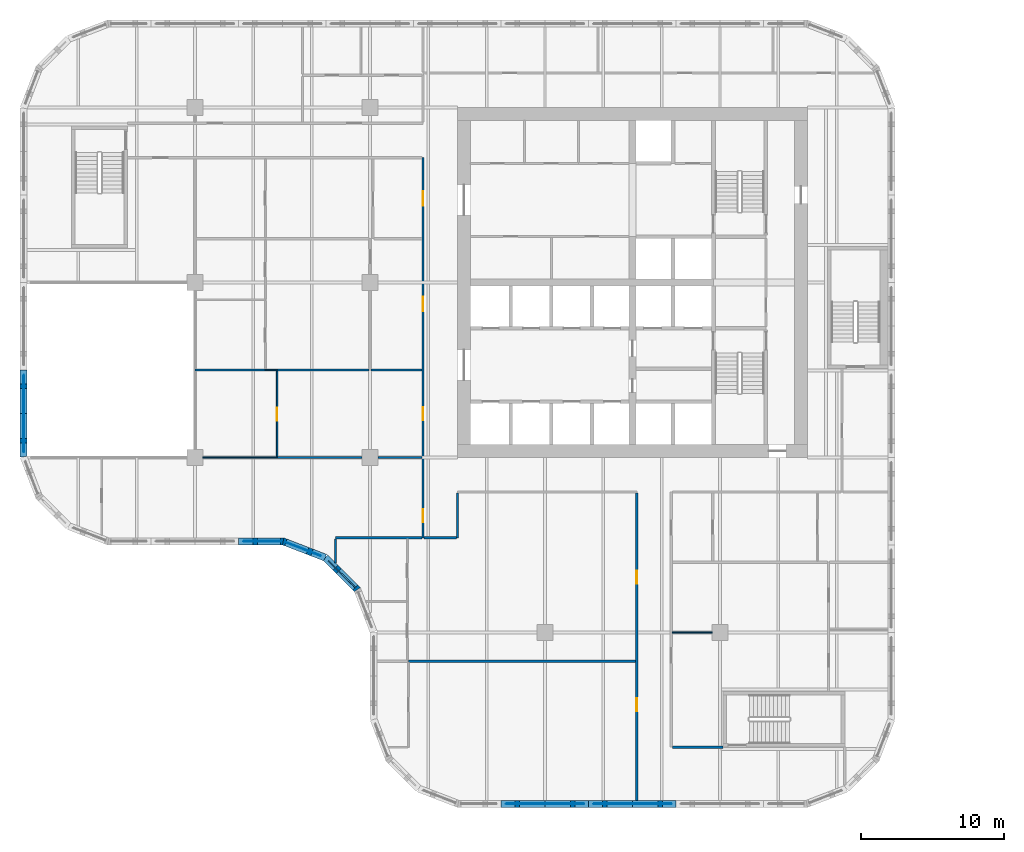
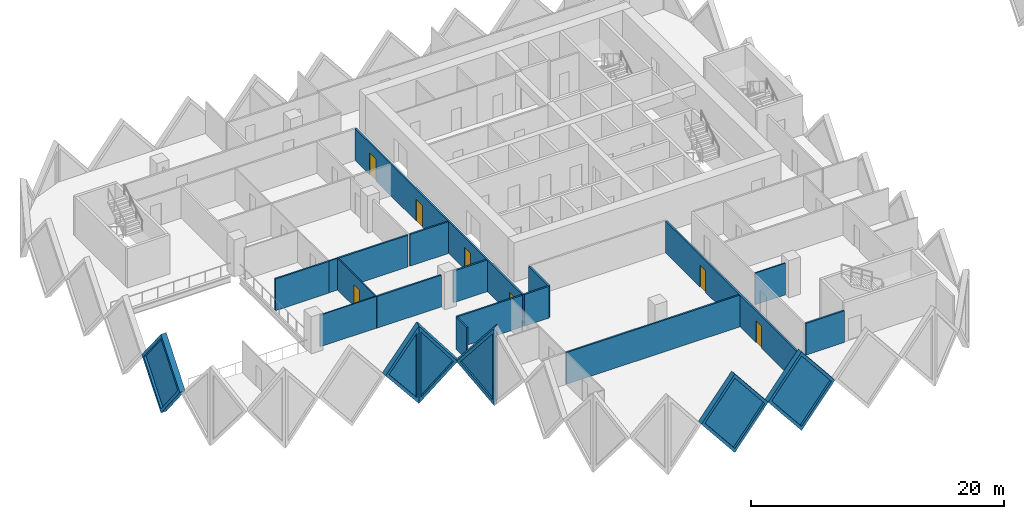
# One storey, part 5 of 19: 23 walls, 7 doors, 6 plates, 13 openings.
"""IFC4 building model written with IfcOpenShell, lengths in metres."""

from ifc_helpers import new_model, si_unit, direction, frame, frame_2d, origin, place, context, subcontext, project, spatial, polyline, rectangle, outline, extrude, faceted_brep, source, transform, mapped, material, layer, layer_set, type_object, element, fill, save


model = new_model("IFC4")

# Units and contexts
model_context = context("Model", 3, precision=1e-05, world=origin(), true_north=direction((0.0, 1.0)))
body_context = subcontext(model_context, "Body", "Model", "MODEL_VIEW")
ifc_project = project(units=[si_unit("LENGTHUNIT", "METRE"), si_unit("AREAUNIT", "SQUARE_METRE"), si_unit("VOLUMEUNIT", "CUBIC_METRE"), si_unit("PLANEANGLEUNIT", "RADIAN"), si_unit("MASSUNIT", "GRAM", prefix="KILO")], contexts=[model_context])

# Site, building, storey
site_placement = place(None, origin())
site = spatial("IfcSite", under=ifc_project, at=site_placement, CompositionType="ELEMENT")
building_placement = place(site_placement, origin())
building = spatial("IfcBuilding", under=site, at=building_placement, Name="Tessera Gate Towers", CompositionType="ELEMENT")
storey_placement = place(building_placement, frame((0.0, 0.0, 33.39990234375)))
storey = spatial("IfcBuildingStorey", under=building, at=storey_placement, Name="L07", CompositionType="ELEMENT", Elevation=33.39990234375)

# Wall, openings, doors
ifc_material_1 = material(Name="Gypsum board on steel studs, mineral wool", Category="steel")
ifc_layer_1 = layer(ifc_material_1, 0.14990234375)
ifc_layer_set_1 = layer_set([ifc_layer_1], Name="CORRIDOR WALL 150")
wall_type_1 = type_object("IfcWallType", Name="CORRIDOR WALL 150", PredefinedType="PARTITIONING", material=ifc_layer_set_1)
wall_1_placement = place(storey_placement, frame((43.0, 0.5, 0.0), z_axis=(0.0, 0.0, 1.0), x_axis=(0.0, 1.0, 0.0)))
wall_1 = element("IfcWall", 1, at=wall_1_placement, inside=storey, type_object=wall_type_1, Name="T1-L07-PW-001", PredefinedType="PARTITIONING", context=body_context, shape_type="SweptSolid", body=[
    extrude(rectangle(XDim=21.424072265625, YDim=0.14990234375, at=frame_2d((10.7119140625, 0.0))), origin(), (0.0, 0.0, 1.0), 3.067138671875),
])
shared_shape_1 = source(origin(), body_context, "Body", "SweptSolid", [
    extrude(rectangle(XDim=0.89990234375, YDim=2.10009765625, at=frame_2d((0.449951171875, 1.050048828125))), frame((0.0, 0.0849609375, 0.0), z_axis=(0.0, -1.0, 0.0), x_axis=(1.0, 0.0, 0.0)), (0.0, 0.0, 1.0), 0.169921875),
])
opening_1_placement = place(wall_1_placement, frame((6.199951171875, 0.0, 0.0)))
opening_1 = element("IfcOpeningElement", 2, at=opening_1_placement, cuts=wall_1, Name="Opening D890FD60-A02-02", PredefinedType="OPENING", context=body_context, shape_type="MappedRepresentation", body=[
    mapped(shared_shape_1, transform((0.0, 0.0, 0.0), scale=1.0)),
])
opening_2_placement = place(wall_1_placement, frame((15.10009765625, 0.0, 0.0)))
opening_2 = element("IfcOpeningElement", 3, at=opening_2_placement, cuts=wall_1, Name="Opening D890FD60-A02-06", PredefinedType="OPENING", context=body_context, shape_type="MappedRepresentation", body=[
    mapped(shared_shape_1, transform((0.0, 0.0, 0.0), scale=1.0)),
])
ifc_material_2 = material(Name="Timber door leaf in steel frame", Category="steel")
door_type_1 = type_object("IfcDoorType", Name="CORRIDOR DOOR 900 FD60", OperationType="NOTDEFINED", PredefinedType="DOOR", material=ifc_material_2)
shared_shape_2 = source(origin(), body_context, "Body", "SweptSolid", [
    extrude(rectangle(XDim=0.89990234375, YDim=2.10009765625, at=frame_2d((0.449951171875, 1.050048828125))), frame((0.0, 0.02490234375, 0.0), z_axis=(0.0, -1.0, 0.0), x_axis=(1.0, 0.0, 0.0)), (0.0, 0.0, 1.0), 0.050048828125),
])
door_1_placement = place(opening_1_placement, origin())
door_1 = element("IfcDoor", 4, at=door_1_placement, inside=storey, type_object=door_type_1, Name="T1-L07-PD-019", OperationType="SINGLE_SWING_LEFT", OverallHeight=2.10009765625, OverallWidth=0.89990234375, PredefinedType="DOOR", context=body_context, shape_type="MappedRepresentation", body=[
    mapped(shared_shape_2, transform((0.0, 0.0, 0.0), scale=1.0)),
])
fill(opening_1, door_1)
door_2_placement = place(opening_2_placement, origin())
door_2 = element("IfcDoor", 5, at=door_2_placement, inside=storey, type_object=door_type_1, Name="T1-L07-PD-027", OperationType="SINGLE_SWING_LEFT", OverallHeight=2.10009765625, OverallWidth=0.89990234375, PredefinedType="DOOR", context=body_context, shape_type="MappedRepresentation", body=[
    mapped(shared_shape_2, transform((0.0, 0.0, 0.0), scale=1.0)),
])
fill(opening_2, door_2)

# Wall
wall_2_placement = place(storey_placement, frame((45.47607421875, 4.199951171875, 0.0), z_axis=(0.0, 0.0, 1.0), x_axis=(1.0, 0.0, 0.0)))
element("IfcWall", 6, at=wall_2_placement, inside=storey, type_object=wall_type_1, Name="T1-L07-PW-006", PredefinedType="PARTITIONING", context=body_context, shape_type="SweptSolid", body=[
    extrude(rectangle(XDim=3.52392578125, YDim=0.14990234375, at=frame_2d((1.761962890625, 0.0))), origin(), (0.0, 0.0, 1.0), 3.067138671875),
])

# Wall, openings, doors
wall_3_placement = place(storey_placement, frame((28.10009765625, 18.800048828125, 0.0), z_axis=(0.0, 0.0, 1.0), x_axis=(0.0, 1.0, 0.0)))
wall_3 = element("IfcWall", 7, at=wall_3_placement, inside=storey, type_object=wall_type_1, Name="T1-L07-PW-020", PredefinedType="PARTITIONING", context=body_context, shape_type="SweptSolid", body=[
    extrude(rectangle(XDim=26.5, YDim=0.14990234375, at=frame_2d((13.25, 0.0))), origin(), (0.0, 0.0, 1.0), 3.067138671875),
])
opening_3_placement = place(wall_3_placement, frame((1.10009765625, 0.0, 0.0)))
opening_3 = element("IfcOpeningElement", 8, at=opening_3_placement, cuts=wall_3, Name="Opening D890FD60-A02-01", PredefinedType="OPENING", context=body_context, shape_type="MappedRepresentation", body=[
    mapped(shared_shape_1, transform((0.0, 0.0, 0.0), scale=1.0)),
])
shared_shape_3 = source(origin(), body_context, "Body", "SweptSolid", [
    extrude(rectangle(XDim=1.0, YDim=2.10009765625, at=frame_2d((0.5, 1.050048828125))), frame((0.0, 0.0849609375, 0.0), z_axis=(0.0, -1.0, 0.0), x_axis=(1.0, 0.0, 0.0)), (0.0, 0.0, 1.0), 0.169921875),
])
opening_4_placement = place(wall_3_placement, frame((23.15087890625, 0.0, 0.0)))
opening_4 = element("IfcOpeningElement", 9, at=opening_4_placement, cuts=wall_3, Name="Opening D2100FD60-A02-03", PredefinedType="OPENING", context=body_context, shape_type="MappedRepresentation", body=[
    mapped(shared_shape_3, transform((0.0, 0.0, 0.0), scale=1.0)),
])
opening_5_placement = place(wall_3_placement, frame((8.199951171875, 0.0, 0.0)))
opening_5 = element("IfcOpeningElement", 10, at=opening_5_placement, cuts=wall_3, Name="Opening D890FD60-A02-03", PredefinedType="OPENING", context=body_context, shape_type="MappedRepresentation", body=[
    mapped(shared_shape_1, transform((0.0, 0.0, 0.0), scale=1.0)),
])
opening_6_placement = place(wall_3_placement, frame((15.800048828125, 0.0, 0.0)))
opening_6 = element("IfcOpeningElement", 11, at=opening_6_placement, cuts=wall_3, Name="Opening D2100FD60-A02-05", PredefinedType="OPENING", context=body_context, shape_type="MappedRepresentation", body=[
    mapped(shared_shape_3, transform((0.0, 0.0, 0.0), scale=1.0)),
])
door_3_placement = place(opening_3_placement, origin())
door_3 = element("IfcDoor", 12, at=door_3_placement, inside=storey, type_object=door_type_1, Name="T1-L07-PD-001", OperationType="SINGLE_SWING_LEFT", OverallHeight=2.10009765625, OverallWidth=0.89990234375, PredefinedType="DOOR", context=body_context, shape_type="MappedRepresentation", body=[
    mapped(shared_shape_2, transform((0.0, 0.0, 0.0), scale=1.0)),
])
fill(opening_3, door_3)
door_4_placement = place(opening_5_placement, origin())
door_4 = element("IfcDoor", 13, at=door_4_placement, inside=storey, type_object=door_type_1, Name="T1-L07-PD-020", OperationType="SINGLE_SWING_LEFT", OverallHeight=2.10009765625, OverallWidth=0.89990234375, PredefinedType="DOOR", context=body_context, shape_type="MappedRepresentation", body=[
    mapped(shared_shape_2, transform((0.0, 0.0, 0.0), scale=1.0)),
])
fill(opening_5, door_4)
ifc_material_3 = material(Name="Timber door leaf in steel frame", Category="steel")
door_type_2 = type_object("IfcDoorType", Name="TENANCY ENTRANCE DOOR 1000 FD60", OperationType="NOTDEFINED", PredefinedType="DOOR", material=ifc_material_3)
shared_shape_4 = source(origin(), body_context, "Body", "SweptSolid", [
    extrude(rectangle(XDim=1.0, YDim=2.10009765625, at=frame_2d((0.5, 1.050048828125))), frame((0.0, 0.02490234375, 0.0), z_axis=(0.0, -1.0, 0.0), x_axis=(1.0, 0.0, 0.0)), (0.0, 0.0, 1.0), 0.050048828125),
])
door_5_placement = place(opening_4_placement, origin())
door_5 = element("IfcDoor", 14, at=door_5_placement, inside=storey, type_object=door_type_2, Name="T1-L07-PD-017", OperationType="SINGLE_SWING_LEFT", OverallHeight=2.10009765625, OverallWidth=1.0, PredefinedType="DOOR", context=body_context, shape_type="MappedRepresentation", body=[
    mapped(shared_shape_4, transform((0.0, 0.0, 0.0), scale=1.0)),
])
fill(opening_4, door_5)
door_6_placement = place(opening_6_placement, origin())
door_6 = element("IfcDoor", 15, at=door_6_placement, inside=storey, type_object=door_type_2, Name="T1-L07-PD-026", OperationType="SINGLE_SWING_LEFT", OverallHeight=2.10009765625, OverallWidth=1.0, PredefinedType="DOOR", context=body_context, shape_type="MappedRepresentation", body=[
    mapped(shared_shape_4, transform((0.0, 0.0, 0.0), scale=1.0)),
])
fill(opening_6, door_6)

# Walls
wall_4_placement = place(storey_placement, frame((28.176025390625, 18.800048828125, 0.0), z_axis=(0.0, 0.0, 1.0), x_axis=(1.0, 0.0, 0.0)))
element("IfcWall", 16, at=wall_4_placement, inside=storey, type_object=wall_type_1, Name="T1-L07-PW-021", PredefinedType="PARTITIONING", context=body_context, shape_type="SweptSolid", body=[
    extrude(rectangle(XDim=2.248046875, YDim=0.14990234375, at=frame_2d((1.1240234375, 0.0))), origin(), (0.0, 0.0, 1.0), 3.067138671875),
])
wall_5_placement = place(storey_placement, frame((30.5, 18.800048828125, 0.0), z_axis=(0.0, 0.0, 1.0), x_axis=(0.0, 1.0, 0.0)))
element("IfcWall", 17, at=wall_5_placement, inside=storey, type_object=wall_type_1, Name="T1-L07-PW-022", PredefinedType="PARTITIONING", context=body_context, shape_type="SweptSolid", body=[
    extrude(rectangle(XDim=3.1240234375, YDim=0.14990234375, at=frame_2d((1.56201171875, 0.0))), origin(), (0.0, 0.0, 1.0), 3.067138671875),
])
ifc_material_4 = material(Name="Glass", Category="glass")
ifc_layer_2 = layer(ifc_material_4, 0.10009765625)
ifc_layer_set_2 = layer_set([ifc_layer_2], Name="GLAZED PARTITION 100")
wall_type_2 = type_object("IfcWallType", Name="GLAZED PARTITION 100", PredefinedType="PARTITIONING", material=ifc_layer_set_2)
wall_6_placement = place(storey_placement, frame((12.7509765625, 24.39990234375, 0.0), z_axis=(0.0, 0.0, 1.0), x_axis=(1.0, 0.0, 0.0)))
element("IfcWall", 18, at=wall_6_placement, inside=storey, type_object=wall_type_2, Name="T1-L07-PW-028", PredefinedType="PARTITIONING", context=body_context, shape_type="SweptSolid", body=[
    extrude(rectangle(XDim=5.173095703125, YDim=0.10009765625, at=frame_2d((2.58642578125, 0.0))), origin(), (0.0, 0.0, 1.0), 3.067138671875),
])

# Wall, opening, door
wall_7_placement = place(storey_placement, frame((17.925048828125, 24.47607421875, 0.0), z_axis=(0.0, 0.0, 1.0), x_axis=(0.0, 1.0, 0.0)))
wall_7 = element("IfcWall", 19, at=wall_7_placement, inside=storey, type_object=wall_type_2, Name="T1-L07-PW-031", PredefinedType="PARTITIONING", context=body_context, shape_type="SweptSolid", body=[
    extrude(rectangle(XDim=5.947998046875, YDim=0.10009765625, at=frame_2d((2.97412109375, 0.0))), origin(), (0.0, 0.0, 1.0), 3.067138671875),
])
shared_shape_5 = source(origin(), body_context, "Body", "SweptSolid", [
    extrude(rectangle(XDim=0.89990234375, YDim=2.10009765625, at=frame_2d((0.449951171875, 1.050048828125))), frame((0.0, 0.06005859375, 0.0), z_axis=(0.0, -1.0, 0.0), x_axis=(1.0, 0.0, 0.0)), (0.0, 0.0, 1.0), 0.1201171875),
])
opening_7_placement = place(wall_7_placement, frame((2.5, 0.0, 0.0)))
opening_7 = element("IfcOpeningElement", 20, at=opening_7_placement, cuts=wall_7, Name="Opening D690-A02-02", PredefinedType="OPENING", context=body_context, shape_type="MappedRepresentation", body=[
    mapped(shared_shape_5, transform((0.0, 0.0, 0.0), scale=1.0)),
])
ifc_material_5 = material(Name="Glass in aluminium frame", Category="aluminium")
door_type_3 = type_object("IfcDoorType", Name="GLAZED DOOR 900 NOT RATED", OperationType="NOTDEFINED", PredefinedType="DOOR", material=ifc_material_5)
door_7_placement = place(opening_7_placement, origin())
door_7 = element("IfcDoor", 21, at=door_7_placement, inside=storey, type_object=door_type_3, Name="T1-L07-PD-018", OperationType="SINGLE_SWING_LEFT", OverallHeight=2.10009765625, OverallWidth=0.89990234375, PredefinedType="DOOR", context=body_context, shape_type="MappedRepresentation", body=[
    mapped(shared_shape_2, transform((0.0, 0.0, 0.0), scale=1.0)),
])
fill(opening_7, door_7)

# Walls
wall_8_placement = place(storey_placement, frame((17.10107421875, 30.5, 0.0), z_axis=(0.0, 0.0, 1.0), x_axis=(1.0, 0.0, 0.0)))
element("IfcWall", 22, at=wall_8_placement, inside=storey, type_object=wall_type_2, Name="T1-L07-PW-033", PredefinedType="PARTITIONING", context=body_context, shape_type="SweptSolid", body=[
    extrude(rectangle(XDim=0.822998046875, YDim=0.10009765625, at=frame_2d((0.41162109375, 0.0))), origin(), (0.0, 0.0, 1.0), 3.067138671875),
])
ifc_material_6 = material(Name="Gypsum board on steel studs", Category="steel")
ifc_layer_3 = layer(ifc_material_6, 0.10009765625)
ifc_layer_set_3 = layer_set([ifc_layer_3], Name="PARTITION 100")
wall_type_3 = type_object("IfcWallType", Name="PARTITION 100", PredefinedType="PARTITIONING", material=ifc_layer_set_3)
wall_9_placement = place(storey_placement, frame((48.25, 12.199951171875, 0.0), z_axis=(0.0, 0.0, 1.0), x_axis=(-1.0, 0.0, 0.0)))
element("IfcWall", 23, at=wall_9_placement, inside=storey, type_object=wall_type_3, Name="T1-L07-PW-011", PredefinedType="PARTITIONING", context=body_context, shape_type="SweptSolid", body=[
    extrude(rectangle(XDim=2.77490234375, YDim=0.10009765625, at=frame_2d((1.387451171875, 0.0))), origin(), (0.0, 0.0, 1.0), 3.067138671875),
])
ifc_material_7 = material(Name="Gypsum board on steel studs, mineral wool", Category="steel")
ifc_layer_4 = layer(ifc_material_7, 0.14990234375)
ifc_layer_set_4 = layer_set([ifc_layer_4], Name="TENANCY WALL 150")
wall_type_4 = type_object("IfcWallType", Name="TENANCY WALL 150", PredefinedType="PARTITIONING", material=ifc_layer_set_4)
wall_10_placement = place(storey_placement, frame((27.074951171875, 10.199951171875, 0.0), z_axis=(0.0, 0.0, 1.0), x_axis=(1.0, 0.0, 0.0)))
element("IfcWall", 24, at=wall_10_placement, inside=storey, type_object=wall_type_4, Name="T1-L07-PW-009", PredefinedType="PARTITIONING", context=body_context, shape_type="SweptSolid", body=[
    extrude(rectangle(XDim=15.84912109375, YDim=0.14990234375, at=frame_2d((7.924560546875, 0.0))), origin(), (0.0, 0.0, 1.0), 3.067138671875),
])
wall_11_placement = place(storey_placement, frame((22.0, 17.054931640625, 0.0), z_axis=(0.0, 0.0, 1.0), x_axis=(0.0, 1.0, 0.0)))
element("IfcWall", 25, at=wall_11_placement, inside=storey, type_object=wall_type_4, Name="T1-L07-PW-014", PredefinedType="PARTITIONING", context=body_context, shape_type="SweptSolid", body=[
    extrude(rectangle(XDim=1.669189453125, YDim=0.14990234375, at=frame_2d((0.83447265625, 0.0))), origin(), (0.0, 0.0, 1.0), 3.067138671875),
])
wall_12_placement = place(storey_placement, frame((22.0, 18.800048828125, 0.0), z_axis=(0.0, 0.0, 1.0), x_axis=(1.0, 0.0, 0.0)))
element("IfcWall", 26, at=wall_12_placement, inside=storey, type_object=wall_type_4, Name="T1-L07-PW-019", PredefinedType="PARTITIONING", context=body_context, shape_type="SweptSolid", body=[
    extrude(rectangle(XDim=6.02392578125, YDim=0.14990234375, at=frame_2d((3.011962890625, 0.0))), origin(), (0.0, 0.0, 1.0), 3.067138671875),
])
wall_13_placement = place(storey_placement, frame((17.925048828125, 24.39990234375, 0.0), z_axis=(0.0, 0.0, 1.0), x_axis=(1.0, 0.0, 0.0)))
element("IfcWall", 27, at=wall_13_placement, inside=storey, type_object=wall_type_4, Name="T1-L07-PW-029", PredefinedType="PARTITIONING", context=body_context, shape_type="SweptSolid", body=[
    extrude(rectangle(XDim=5.924072265625, YDim=0.14990234375, at=frame_2d((2.9619140625, 0.0))), origin(), (0.0, 0.0, 1.0), 3.067138671875),
])
wall_14_placement = place(storey_placement, frame((24.950927734375, 24.39990234375, 0.0), z_axis=(0.0, 0.0, 1.0), x_axis=(1.0, 0.0, 0.0)))
element("IfcWall", 28, at=wall_14_placement, inside=storey, type_object=wall_type_4, Name="T1-L07-PW-030", PredefinedType="PARTITIONING", context=body_context, shape_type="SweptSolid", body=[
    extrude(rectangle(XDim=3.072998046875, YDim=0.14990234375, at=frame_2d((1.53662109375, 0.0))), origin(), (0.0, 0.0, 1.0), 3.067138671875),
])
wall_15_placement = place(storey_placement, frame((12.199951171875, 30.5, 0.0), z_axis=(0.0, 0.0, 1.0), x_axis=(1.0, 0.0, 0.0)))
element("IfcWall", 29, at=wall_15_placement, inside=storey, type_object=wall_type_4, Name="T1-L07-PW-032", PredefinedType="PARTITIONING", context=body_context, shape_type="SweptSolid", body=[
    extrude(rectangle(XDim=4.900146484375, YDim=0.14990234375, at=frame_2d((2.4501953125, 0.0))), origin(), (0.0, 0.0, 1.0), 3.067138671875),
])
wall_16_placement = place(storey_placement, frame((17.925048828125, 30.5, 0.0), z_axis=(0.0, 0.0, 1.0), x_axis=(1.0, 0.0, 0.0)))
element("IfcWall", 30, at=wall_16_placement, inside=storey, type_object=wall_type_4, Name="T1-L07-PW-034", PredefinedType="PARTITIONING", context=body_context, shape_type="SweptSolid", body=[
    extrude(rectangle(XDim=6.39892578125, YDim=0.14990234375, at=frame_2d((3.199462890625, 0.0))), origin(), (0.0, 0.0, 1.0), 3.067138671875),
])
wall_17_placement = place(storey_placement, frame((24.47607421875, 30.5, 0.0), z_axis=(0.0, 0.0, 1.0), x_axis=(1.0, 0.0, 0.0)))
element("IfcWall", 31, at=wall_17_placement, inside=storey, type_object=wall_type_4, Name="T1-L07-PW-036", PredefinedType="PARTITIONING", context=body_context, shape_type="SweptSolid", body=[
    extrude(rectangle(XDim=3.5478515625, YDim=0.14990234375, at=frame_2d((1.77392578125, 0.0))), origin(), (0.0, 0.0, 1.0), 3.067138671875),
])

# Wall, opening, plate
ifc_material_8 = material(Name="Precast concrete C60/75 white", Category="concrete")
ifc_layer_5 = layer(ifc_material_8, 0.5)
ifc_layer_set_5 = layer_set([ifc_layer_5], Name="TS1 tessera")
wall_type_5 = type_object("IfcWallType", Name="TS1 tessera", PredefinedType="SOLIDWALL", material=ifc_layer_set_5)
shared_shape_6 = source(origin(), body_context, "Body", "Brep", [
    faceted_brep([(3.050048828125, -0.25, 0.0), (6.099853515625, -0.25, 3.799560546875), (6.099853515625, -0.25, 3.800048828125), (3.050048828125, -0.25, 7.599853515625), (0.0, -0.25, 3.7998046875), (0.0, 0.25, 3.7998046875), (3.050048828125, 0.25, 7.599853515625), (6.099853515625, 0.25, 3.800048828125), (6.099853515625, 0.25, 3.799560546875), (3.050048828125, 0.25, 0.0)], [[[0, 1, 2, 3, 4]], [[5, 6, 7, 8, 9]], [[9, 8, 1, 0]], [[7, 6, 3, 2]], [[6, 5, 4, 3]], [[5, 9, 0, 4]], [[1, 8, 7, 2]]]),
])
wall_18_placement = place(storey_placement, frame((33.550048828125, 0.25, -3.7998046875), z_axis=(0.0, 0.0, 1.0), x_axis=(1.0, 0.0, 0.0)))
wall_18 = element("IfcWall", 32, at=wall_18_placement, inside=storey, type_object=wall_type_5, Name="Precast tessera T1 TS1-0046", PredefinedType="SOLIDWALL", context=body_context, shape_type="MappedRepresentation", body=[
    mapped(shared_shape_6, transform((0.0, 0.0, 0.0), scale=1.0)),
])
shared_shape_7 = source(origin(), body_context, "Body", "SweptSolid", [
    extrude(outline(polyline([(3.050048828125, 0.3994140625), (5.779541015625, 3.7998046875), (3.050048828125, 7.200439453125), (0.320556640625, 3.7998046875), (3.050048828125, 0.3994140625)])), frame((0.0, 0.260009765625, 0.0), z_axis=(0.0, -1.0, 0.0), x_axis=(1.0, 0.0, 0.0)), (0.0, 0.0, 1.0), 0.52001953125),
])
opening_8_placement = place(wall_18_placement, origin())
opening_8 = element("IfcOpeningElement", 33, at=opening_8_placement, cuts=wall_18, Name="Opening T1-PL2-0096", PredefinedType="OPENING", context=body_context, shape_type="MappedRepresentation", body=[
    mapped(shared_shape_7, transform((0.0, 0.0, 0.0), scale=1.0)),
])
ifc_material_9 = material(Name="Low-e laminated glass", Category="glass")
ifc_layer_6 = layer(ifc_material_9, 0.06005859375)
ifc_layer_set_6 = layer_set([ifc_layer_6], Name="PL2 rhombic pane")
plate_type = type_object("IfcPlateType", Name="PL2 rhombic pane", PredefinedType="SHEET", material=ifc_layer_set_6)
shared_shape_8 = source(origin(), body_context, "Body", "SweptSolid", [
    extrude(outline(polyline([(3.050048828125, 0.3994140625), (5.779541015625, 3.7998046875), (3.050048828125, 7.200439453125), (0.320556640625, 3.7998046875), (3.050048828125, 0.3994140625)])), frame((0.0, 0.030029296875, 0.0), z_axis=(0.0, -1.0, 0.0), x_axis=(1.0, 0.0, 0.0)), (0.0, 0.0, 1.0), 0.06005859375),
])
plate_1_placement = place(opening_8_placement, origin())
plate_1 = element("IfcPlate", 34, at=plate_1_placement, inside=storey, type_object=plate_type, Name="Glass pane T1 PL2-0096", PredefinedType="SHEET", context=body_context, shape_type="MappedRepresentation", body=[
    mapped(shared_shape_8, transform((0.0, 0.0, 0.0), scale=1.0)),
])
fill(opening_8, plate_1)

shared_shape_9 = source(origin(), body_context, "Body", "SweptSolid", [
    extrude(outline(polyline([(3.050048828125, 0.0), (6.10009765625, 3.7998046875), (3.050048828125, 7.599853515625), (0.0, 3.7998046875), (3.050048828125, 0.0)])), frame((0.0, 0.25, 0.0), z_axis=(0.0, -1.0, 0.0), x_axis=(1.0, 0.0, 0.0)), (0.0, 0.0, 1.0), 0.5),
])
wall_19_placement = place(storey_placement, frame((39.64990234375, 0.25, -3.7998046875), z_axis=(0.0, 0.0, 1.0), x_axis=(1.0, 0.0, 0.0)))
wall_19 = element("IfcWall", 35, at=wall_19_placement, inside=storey, type_object=wall_type_5, Name="Precast tessera T1 TS1-0047", PredefinedType="SOLIDWALL", context=body_context, shape_type="MappedRepresentation", body=[
    mapped(shared_shape_9, transform((0.0, 0.0, 0.0), scale=1.0)),
])
opening_9_placement = place(wall_19_placement, origin())
opening_9 = element("IfcOpeningElement", 36, at=opening_9_placement, cuts=wall_19, Name="Opening T1-PL2-0097", PredefinedType="OPENING", context=body_context, shape_type="MappedRepresentation", body=[
    mapped(shared_shape_7, transform((0.0, 0.0, 0.0), scale=1.0)),
])
plate_2_placement = place(opening_9_placement, origin())
plate_2 = element("IfcPlate", 37, at=plate_2_placement, inside=storey, type_object=plate_type, Name="Glass pane T1 PL2-0097", PredefinedType="SHEET", context=body_context, shape_type="MappedRepresentation", body=[
    mapped(shared_shape_8, transform((0.0, 0.0, 0.0), scale=1.0)),
])
fill(opening_9, plate_2)

shared_shape_10 = source(origin(), body_context, "Body", "Brep", [
    faceted_brep([(3.050048828125, -0.25, 0.0), (6.053466796875, -0.25, 3.7998046875), (3.050048828125, -0.25, 7.599853515625), (0.0, -0.25, 3.7998046875), (0.0, 0.25, 3.7998046875), (3.050048828125, 0.25, 7.599853515625), (6.0068359375, 0.25, 3.858642578125), (6.0068359375, 0.25, 3.740966796875), (3.050048828125, 0.25, 0.0), (6.053466796875, 0.0, 3.7998046875)], [[[0, 1, 2, 3]], [[4, 5, 6, 7, 8]], [[8, 7, 9, 1, 0]], [[6, 5, 2, 1, 9]], [[5, 4, 3, 2]], [[4, 8, 0, 3]], [[9, 7, 6]]]),
])
wall_20_placement = place(storey_placement, frame((0.25, 30.5, -3.7998046875), z_axis=(0.0, 0.0, 1.0), x_axis=(0.0, -1.0, 0.0)))
wall_20 = element("IfcWall", 38, at=wall_20_placement, inside=storey, type_object=wall_type_5, Name="Precast tessera T1 TS1-0066", PredefinedType="SOLIDWALL", context=body_context, shape_type="MappedRepresentation", body=[
    mapped(shared_shape_10, transform((0.0, 0.0, 0.0), scale=1.0)),
])
shared_shape_11 = source(origin(), body_context, "Body", "SweptSolid", [
    extrude(outline(polyline([(3.048583984375, 0.401123046875), (5.73486328125, 3.7998046875), (3.048583984375, 7.19873046875), (0.320556640625, 3.7998046875), (3.048583984375, 0.401123046875)])), frame((0.0, 0.260009765625, 0.0), z_axis=(0.0, -1.0, 0.0), x_axis=(1.0, 0.0, 0.0)), (0.0, 0.0, 1.0), 0.52001953125),
])
opening_10_placement = place(wall_20_placement, origin())
opening_10 = element("IfcOpeningElement", 39, at=opening_10_placement, cuts=wall_20, Name="Opening T1-PL2-0128", PredefinedType="OPENING", context=body_context, shape_type="MappedRepresentation", body=[
    mapped(shared_shape_11, transform((0.0, 0.0, 0.0), scale=1.0)),
])
shared_shape_12 = source(origin(), body_context, "Body", "SweptSolid", [
    extrude(outline(polyline([(3.048583984375, 0.401123046875), (5.73486328125, 3.7998046875), (3.048583984375, 7.19873046875), (0.320556640625, 3.7998046875), (3.048583984375, 0.401123046875)])), frame((0.0, 0.030029296875, 0.0), z_axis=(0.0, -1.0, 0.0), x_axis=(1.0, 0.0, 0.0)), (0.0, 0.0, 1.0), 0.06005859375),
])
plate_3_placement = place(opening_10_placement, origin())
plate_3 = element("IfcPlate", 40, at=plate_3_placement, inside=storey, type_object=plate_type, Name="Glass pane T1 PL2-0128", PredefinedType="SHEET", context=body_context, shape_type="MappedRepresentation", body=[
    mapped(shared_shape_12, transform((0.0, 0.0, 0.0), scale=1.0)),
])
fill(opening_10, plate_3)

ifc_material_10 = material(Name="Precast concrete C60/75 white", Category="concrete")
ifc_layer_7 = layer(ifc_material_10, 0.5)
ifc_layer_set_7 = layer_set([ifc_layer_7], Name="TS3 corner tessera")
wall_type_6 = type_object("IfcWallType", Name="TS3 corner tessera", PredefinedType="SOLIDWALL", material=ifc_layer_set_7)
shared_shape_13 = source(origin(), body_context, "Body", "Brep", [
    faceted_brep([(3.050048828125, -0.25, 7.54296875), (0.0, -0.25, 3.7998046875), (3.050048828125, -0.25, 0.056884765625), (0.0, 0.25, 3.7998046875), (3.096435546875, 0.25, 7.599853515625), (3.14306640625, 0.25, 7.54345703125), (3.14306640625, 0.25, 0.056396484375), (3.096435546875, 0.25, 0.0), (3.096435546875, -0.00048828125, 0.0), (3.096435546875, -0.00048828125, 7.599853515625)], [[[0, 1, 2]], [[3, 4, 5, 6, 7]], [[7, 6, 8]], [[5, 4, 9]], [[4, 3, 1, 0, 9]], [[3, 7, 8, 2, 1]], [[2, 8, 6, 5, 9, 0]]]),
])
wall_21_placement = place(storey_placement, frame((15.25, 18.550048828125, -3.7998046875), z_axis=(0.0, 0.0, 1.0), x_axis=(1.0, 0.0, 0.0)))
wall_21 = element("IfcWall", 41, at=wall_21_placement, inside=storey, type_object=wall_type_6, Name="Precast corner tessera T1 TS3-0139", PredefinedType="SOLIDWALL", context=body_context, shape_type="MappedRepresentation", body=[
    mapped(shared_shape_13, transform((0.0, 0.0, 0.0), scale=1.0)),
])
shared_shape_14 = source(origin(), body_context, "Body", "SweptSolid", [
    extrude(outline(polyline([(2.896484375, 6.958740234375), (0.322509765625, 3.7998046875), (2.896484375, 0.64111328125), (2.896484375, 6.958740234375)])), frame((0.0, 0.260009765625, 0.0), z_axis=(0.0, -1.0, 0.0), x_axis=(1.0, 0.0, 0.0)), (0.0, 0.0, 1.0), 0.52001953125),
])
opening_11_placement = place(wall_21_placement, origin())
opening_11 = element("IfcOpeningElement", 42, at=opening_11_placement, cuts=wall_21, Name="Opening T1-PL2-0134", PredefinedType="OPENING", context=body_context, shape_type="MappedRepresentation", body=[
    mapped(shared_shape_14, transform((0.0, 0.0, 0.0), scale=1.0)),
])
shared_shape_15 = source(origin(), body_context, "Body", "SweptSolid", [
    extrude(outline(polyline([(2.896484375, 6.958740234375), (0.322509765625, 3.7998046875), (2.896484375, 0.64111328125), (2.896484375, 6.958740234375)])), frame((0.0, 0.030029296875, 0.0), z_axis=(0.0, -1.0, 0.0), x_axis=(1.0, 0.0, 0.0)), (0.0, 0.0, 1.0), 0.06005859375),
])
plate_4_placement = place(opening_11_placement, origin())
plate_4 = element("IfcPlate", 43, at=plate_4_placement, inside=storey, type_object=plate_type, Name="Glass pane T1 PL2-0134", PredefinedType="SHEET", context=body_context, shape_type="MappedRepresentation", body=[
    mapped(shared_shape_15, transform((0.0, 0.0, 0.0), scale=1.0)),
])
fill(opening_11, plate_4)

shared_shape_16 = source(origin(), body_context, "Body", "Brep", [
    faceted_brep([(0.09326171875, -0.25, 0.05615234375), (3.14306640625, -0.25, 3.736083984375), (3.14306640625, -0.25, 3.863525390625), (0.09326171875, -0.25, 7.543701171875), (0.0, 0.25, 7.542724609375), (0.046630859375, 0.25, 7.599853515625), (3.196044921875, 0.25, 3.7998046875), (0.046630859375, 0.25, 0.0), (0.0, 0.25, 0.05712890625), (3.196044921875, -0.000244140625, 3.7998046875), (0.046630859375, 0.0, 0.0), (0.046630859375, 0.0, 7.599853515625)], [[[0, 1, 2, 3]], [[4, 5, 6, 7, 8]], [[7, 6, 9, 1, 0, 10]], [[6, 5, 11, 3, 2, 9]], [[5, 4, 11]], [[8, 7, 10]], [[8, 10, 0, 3, 11, 4]], [[1, 9, 2]]]),
])
wall_22_placement = place(storey_placement, frame((18.302978515625, 18.56689453125, -3.7998046875), z_axis=(0.0, 0.0, 1.0), x_axis=(0.932978940178, -0.359930961693, 0.0)))
wall_22 = element("IfcWall", 44, at=wall_22_placement, inside=storey, type_object=wall_type_6, Name="Precast corner tessera T1 TS3-0140", PredefinedType="SOLIDWALL", context=body_context, shape_type="MappedRepresentation", body=[
    mapped(shared_shape_16, transform((0.0, 0.0, 0.0), scale=1.0)),
])
shared_shape_17 = source(origin(), body_context, "Body", "SweptSolid", [
    extrude(outline(polyline([(0.24658203125, 0.633056640625), (2.871337890625, 3.7998046875), (0.24658203125, 6.966796875), (0.24658203125, 0.633056640625)])), frame((0.0, 0.260009765625, 0.0), z_axis=(0.0, -1.0, 0.0), x_axis=(1.0, 0.0, 0.0)), (0.0, 0.0, 1.0), 0.52001953125),
])
opening_12_placement = place(wall_22_placement, origin())
opening_12 = element("IfcOpeningElement", 45, at=opening_12_placement, cuts=wall_22, Name="Opening T1-PL2-0135", PredefinedType="OPENING", context=body_context, shape_type="MappedRepresentation", body=[
    mapped(shared_shape_17, transform((0.0, 0.0, 0.0), scale=1.0)),
])
shared_shape_18 = source(origin(), body_context, "Body", "SweptSolid", [
    extrude(outline(polyline([(0.24658203125, 0.633056640625), (2.871337890625, 3.7998046875), (0.24658203125, 6.966796875), (0.24658203125, 0.633056640625)])), frame((0.0, 0.030029296875, 0.0), z_axis=(0.0, -1.0, 0.0), x_axis=(1.0, 0.0, 0.0)), (0.0, 0.0, 1.0), 0.06005859375),
])
plate_5_placement = place(opening_12_placement, origin())
plate_5 = element("IfcPlate", 46, at=plate_5_placement, inside=storey, type_object=plate_type, Name="Glass pane T1 PL2-0135", PredefinedType="SHEET", context=body_context, shape_type="MappedRepresentation", body=[
    mapped(shared_shape_18, transform((0.0, 0.0, 0.0), scale=1.0)),
])
fill(opening_12, plate_5)

shared_shape_19 = source(origin(), body_context, "Body", "Brep", [
    faceted_brep([(3.10302734375, -0.25, 7.5361328125), (0.052978515625, -0.25, 3.863525390625), (0.052978515625, -0.25, 3.736083984375), (3.10302734375, -0.25, 0.063720703125), (0.0, 0.25, 3.7998046875), (3.15576171875, 0.25, 7.599853515625), (3.208740234375, 0.25, 7.535888671875), (3.208740234375, 0.25, 0.06396484375), (3.15576171875, 0.25, 0.0), (3.15576171875, -0.00048828125, 0.0), (3.15576171875, -0.00048828125, 7.599853515625), (0.0, 0.0, 3.7998046875)], [[[0, 1, 2, 3]], [[4, 5, 6, 7, 8]], [[8, 7, 9]], [[6, 5, 10]], [[5, 4, 11, 1, 0, 10]], [[4, 8, 9, 3, 2, 11]], [[11, 2, 1]], [[3, 9, 7, 6, 10, 0]]]),
])
wall_23_placement = place(storey_placement, frame((21.284912109375, 17.41650390625, -3.7998046875), z_axis=(0.0, 0.0, 1.0), x_axis=(0.707106781187, -0.707106781187, 0.0)))
wall_23 = element("IfcWall", 47, at=wall_23_placement, inside=storey, type_object=wall_type_6, Name="Precast corner tessera T1 TS3-0141", PredefinedType="SOLIDWALL", context=body_context, shape_type="MappedRepresentation", body=[
    mapped(shared_shape_19, transform((0.0, 0.0, 0.0), scale=1.0)),
])
shared_shape_20 = source(origin(), body_context, "Body", "SweptSolid", [
    extrude(outline(polyline([(2.955810546875, 6.9677734375), (0.324951171875, 3.7998046875), (2.955810546875, 0.632080078125), (2.955810546875, 6.9677734375)])), frame((0.0, 0.260009765625, 0.0), z_axis=(0.0, -1.0, 0.0), x_axis=(1.0, 0.0, 0.0)), (0.0, 0.0, 1.0), 0.52001953125),
])
opening_13_placement = place(wall_23_placement, origin())
opening_13 = element("IfcOpeningElement", 48, at=opening_13_placement, cuts=wall_23, Name="Opening T1-PL2-0136", PredefinedType="OPENING", context=body_context, shape_type="MappedRepresentation", body=[
    mapped(shared_shape_20, transform((0.0, 0.0, 0.0), scale=1.0)),
])
shared_shape_21 = source(origin(), body_context, "Body", "SweptSolid", [
    extrude(outline(polyline([(2.955810546875, 6.9677734375), (0.324951171875, 3.7998046875), (2.955810546875, 0.632080078125), (2.955810546875, 6.9677734375)])), frame((0.0, 0.030029296875, 0.0), z_axis=(0.0, -1.0, 0.0), x_axis=(1.0, 0.0, 0.0)), (0.0, 0.0, 1.0), 0.06005859375),
])
plate_6_placement = place(opening_13_placement, origin())
plate_6 = element("IfcPlate", 49, at=plate_6_placement, inside=storey, type_object=plate_type, Name="Glass pane T1 PL2-0136", PredefinedType="SHEET", context=body_context, shape_type="MappedRepresentation", body=[
    mapped(shared_shape_21, transform((0.0, 0.0, 0.0), scale=1.0)),
])
fill(opening_13, plate_6)

save(model, "model.ifc")
